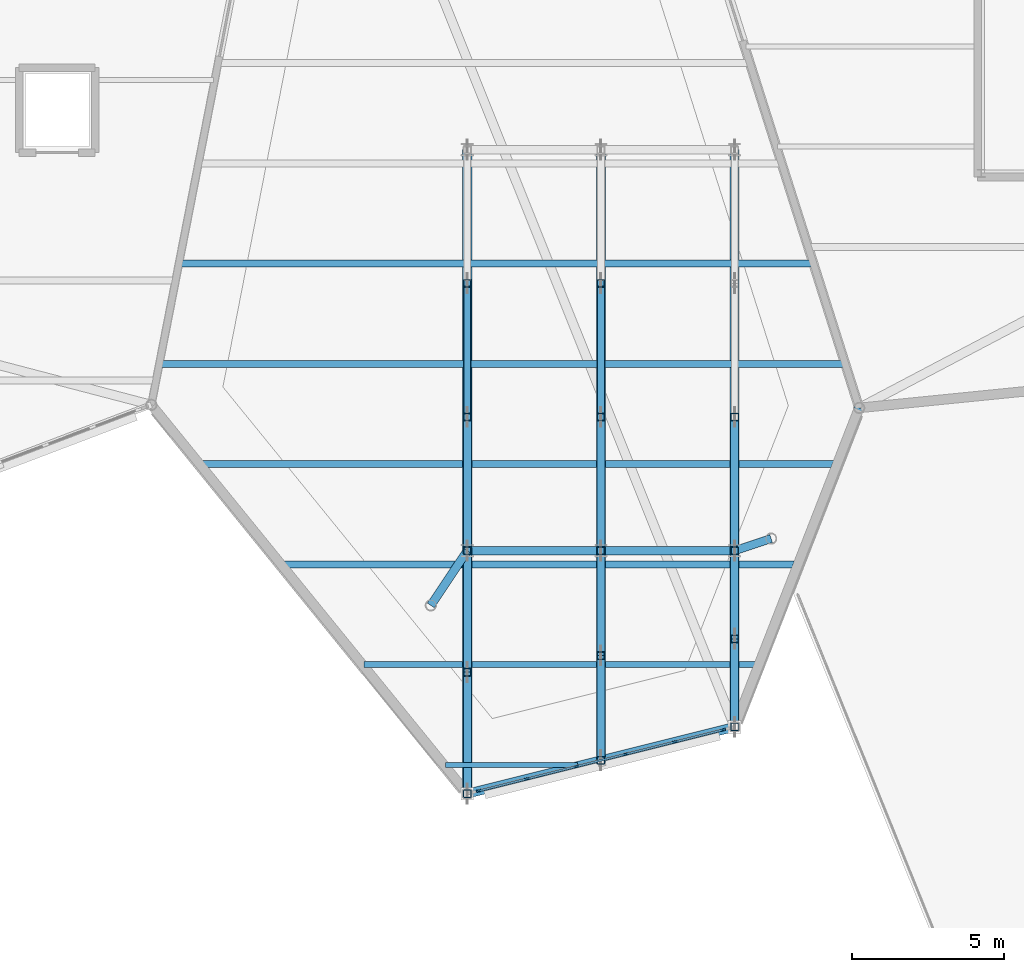
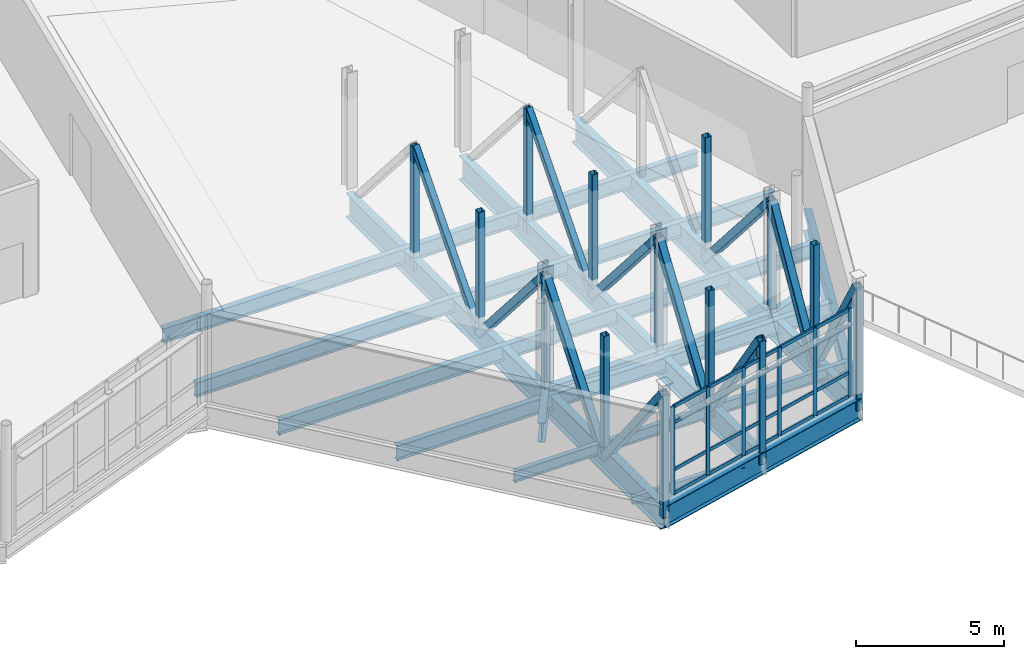
# One storey, part 55 of 114: 51 members, 15 beams, 1 element without a shape of its own.
"""IFC4 building model written with IfcOpenShell, lengths in metres."""

from ifc_helpers import new_model, si_unit, direction, frame, origin, origin_2d, place, context, subcontext, project, spatial, rectangle, hollow_rectangle, i_section, extrude, material, material_profile, profile_set, type_object, element, aggregate, save


model = new_model("IFC4")

# Units and contexts
model_context = context("Model", 3, precision=1e-05, world=origin(), true_north=direction((0.0, 1.0)))
body_context = subcontext(model_context, "Body", "Model", "MODEL_VIEW")
ifc_project = project(units=[si_unit("LENGTHUNIT", "METRE"), si_unit("AREAUNIT", "SQUARE_METRE"), si_unit("VOLUMEUNIT", "CUBIC_METRE"), si_unit("PLANEANGLEUNIT", "RADIAN"), si_unit("MASSUNIT", "GRAM", prefix="KILO")], contexts=[model_context])

# Site, building, storey
site_placement = place(None, origin())
site = spatial("IfcSite", under=ifc_project, at=site_placement, CompositionType="ELEMENT")
building_placement = place(site_placement, origin())
building = spatial("IfcBuilding", under=site, at=building_placement, Name="Tameran Prism Museum", CompositionType="ELEMENT")
storey_placement = place(building_placement, frame((0.0, 0.0, 10.199951171875)))
storey = spatial("IfcBuildingStorey", under=building, at=storey_placement, Name="L02", CompositionType="ELEMENT", Elevation=10.199951171875)

# Beams
ifc_material_1 = material(Name="Steel Grade 300PLUS (300 MPa)", Category="steel")
ifc_material_profile_1 = material_profile(ifc_material_1, i_section(OverallWidth=0.1650390625, OverallDepth=0.303955078125, WebThickness=0.006103515625, FlangeThickness=0.01025390625, FilletRadius=0.011474609375, at=origin_2d()))
ifc_profile_set_1 = profile_set([ifc_material_profile_1])
beam_type_1 = type_object("IfcBeamType", Name="BM-J310B", PredefinedType="JOIST", material=ifc_profile_set_1)
beam_1_placement = place(storey_placement, frame((130.3798828125, 10.449951171875, -0.3720703125), z_axis=(1.0, 0.0, 0.0), x_axis=(0.0, 1.0, 0.0)))
element("IfcBeam", 1, at=beam_1_placement, inside=storey, type_object=beam_type_1, Name="Floor Beam BM-0881", PredefinedType="JOIST", context=body_context, shape_type="SweptSolid", body=[
    extrude(i_section(OverallWidth=0.1650390625, OverallDepth=0.303955078125, WebThickness=0.006103515625, FlangeThickness=0.01025390625, FilletRadius=0.011474609375, at=origin_2d()), origin(), (0.0, 0.0, 1.0), 4.355224609375),
])
ifc_material_2 = material(Name="Steel Grade 300PLUS (300 MPa)", Category="steel")
ifc_material_profile_2 = material_profile(ifc_material_2, i_section(OverallWidth=0.18994140625, OverallDepth=0.4541015625, WebThickness=0.008544921875, FlangeThickness=0.0126953125, FilletRadius=0.011474609375, at=origin_2d()))
ifc_profile_set_2 = profile_set([ifc_material_profile_2])
beam_type_2 = type_object("IfcBeamType", Name="BM-J460B", PredefinedType="JOIST", material=ifc_profile_set_2)
beam_2_placement = place(storey_placement, frame((127.697998046875, 13.75, -0.447021484375), z_axis=(1.0, 0.0, 0.0), x_axis=(0.0, 1.0, 0.0)))
element("IfcBeam", 2, at=beam_2_placement, inside=storey, type_object=beam_type_2, Name="Floor Beam BM-0882", PredefinedType="JOIST", context=body_context, shape_type="SweptSolid", body=[
    extrude(i_section(OverallWidth=0.18994140625, OverallDepth=0.4541015625, WebThickness=0.008544921875, FlangeThickness=0.0126953125, FilletRadius=0.011474609375, at=origin_2d()), origin(), (0.0, 0.0, 1.0), 12.9599609375),
])
ifc_material_3 = material(Name="Steel Grade 350 (350 MPa)", Category="steel")
ifc_material_profile_3 = material_profile(ifc_material_3, i_section(OverallWidth=0.300048828125, OverallDepth=1.0, WebThickness=0.01611328125, FlangeThickness=0.031982421875, at=origin_2d()))
ifc_profile_set_3 = profile_set([ifc_material_profile_3])
beam_type_3 = type_object("IfcBeamType", Name="BM-TR1000", PredefinedType="BEAM", material=ifc_profile_set_3)
beam_3_placement = place(storey_placement, frame((131.10009765625, 30.699951171875, -0.719970703125), z_axis=(0.0, -1.0, 0.0), x_axis=(1.0, 0.0, 0.0)))
element("IfcBeam", 3, at=beam_3_placement, inside=storey, type_object=beam_type_3, Name="Transfer Girder TTB-1456", PredefinedType="BEAM", context=body_context, shape_type="SweptSolid", body=[
    extrude(i_section(OverallWidth=0.300048828125, OverallDepth=1.0, WebThickness=0.01611328125, FlangeThickness=0.031982421875, at=origin_2d()), origin(), (0.0, 0.0, 1.0), 21.199951171875),
])
beam_4_placement = place(storey_placement, frame((135.5, 30.699951171875, -0.719970703125), z_axis=(0.0, -1.0, 0.0), x_axis=(1.0, 0.0, 0.0)))
element("IfcBeam", 4, at=beam_4_placement, inside=storey, type_object=beam_type_3, Name="Transfer Girder TTB-1457", PredefinedType="BEAM", context=body_context, shape_type="SweptSolid", body=[
    extrude(i_section(OverallWidth=0.300048828125, OverallDepth=1.0, WebThickness=0.01611328125, FlangeThickness=0.031982421875, at=origin_2d()), origin(), (0.0, 0.0, 1.0), 20.099853515625),
])
beam_5_placement = place(storey_placement, frame((139.89990234375, 30.699951171875, -0.719970703125), z_axis=(0.0, -1.0, 0.0), x_axis=(1.0, 0.0, 0.0)))
element("IfcBeam", 5, at=beam_5_placement, inside=storey, type_object=beam_type_3, Name="Transfer Girder TTB-1458", PredefinedType="BEAM", context=body_context, shape_type="SweptSolid", body=[
    extrude(i_section(OverallWidth=0.300048828125, OverallDepth=1.0, WebThickness=0.01611328125, FlangeThickness=0.031982421875, at=origin_2d()), origin(), (0.0, 0.0, 1.0), 19.0),
])
ifc_material_4 = material(Name="Steel Grade 300PLUS (300 MPa)", Category="steel")
ifc_material_profile_4 = material_profile(ifc_material_4, i_section(OverallWidth=0.22802734375, OverallDepth=0.60693359375, WebThickness=0.01123046875, FlangeThickness=0.017333984375, FilletRadius=0.013916015625, at=origin_2d()))
ifc_profile_set_4 = profile_set([ifc_material_profile_4])
beam_type_4 = type_object("IfcBeamType", Name="BM-UB610B", PredefinedType="BEAM", material=ifc_profile_set_4)
beam_6_placement = place(storey_placement, frame((125.01708984375, 17.050048828125, -0.5234375), z_axis=(1.0, 0.0, 0.0), x_axis=(0.0, 1.0, 0.0)))
element("IfcBeam", 6, at=beam_6_placement, inside=storey, type_object=beam_type_4, Name="Floor Beam BM-0883", PredefinedType="BEAM", context=body_context, shape_type="SweptSolid", body=[
    extrude(i_section(OverallWidth=0.22802734375, OverallDepth=0.60693359375, WebThickness=0.01123046875, FlangeThickness=0.017333984375, FilletRadius=0.013916015625, at=origin_2d()), origin(), (0.0, 0.0, 1.0), 16.928955078125),
])
beam_7_placement = place(storey_placement, frame((122.3359375, 20.35009765625, -0.5234375), z_axis=(1.0, 0.0, 0.0), x_axis=(0.0, 1.0, 0.0)))
element("IfcBeam", 7, at=beam_7_placement, inside=storey, type_object=beam_type_4, Name="Floor Beam BM-0884", PredefinedType="BEAM", context=body_context, shape_type="SweptSolid", body=[
    extrude(i_section(OverallWidth=0.22802734375, OverallDepth=0.60693359375, WebThickness=0.01123046875, FlangeThickness=0.017333984375, FilletRadius=0.013916015625, at=origin_2d()), origin(), (0.0, 0.0, 1.0), 20.899169921875),
])
beam_8_placement = place(storey_placement, frame((121.00390625, 23.64990234375, -0.5234375), z_axis=(1.0, 0.0, 0.0), x_axis=(0.0, 1.0, 0.0)))
element("IfcBeam", 8, at=beam_8_placement, inside=storey, type_object=beam_type_4, Name="Floor Beam BM-0885", PredefinedType="BEAM", context=body_context, shape_type="SweptSolid", body=[
    extrude(i_section(OverallWidth=0.22802734375, OverallDepth=0.60693359375, WebThickness=0.01123046875, FlangeThickness=0.017333984375, FilletRadius=0.013916015625, at=origin_2d()), origin(), (0.0, 0.0, 1.0), 22.494140625),
])
beam_9_placement = place(storey_placement, frame((121.64892578125, 26.949951171875, -0.5234375), z_axis=(1.0, 0.0, 0.0), x_axis=(0.0, 1.0, 0.0)))
element("IfcBeam", 9, at=beam_9_placement, inside=storey, type_object=beam_type_4, Name="Floor Beam BM-0886", PredefinedType="BEAM", context=body_context, shape_type="SweptSolid", body=[
    extrude(i_section(OverallWidth=0.22802734375, OverallDepth=0.60693359375, WebThickness=0.01123046875, FlangeThickness=0.017333984375, FilletRadius=0.013916015625, at=origin_2d()), origin(), (0.0, 0.0, 1.0), 20.802978515625),
])
ifc_material_5 = material(Name="Steel Grade 350 (350 MPa)", Category="steel")
ifc_material_profile_5 = material_profile(ifc_material_5, i_section(OverallWidth=0.27490234375, OverallDepth=0.800048828125, WebThickness=0.011962890625, FlangeThickness=0.02490234375, at=origin_2d()))
ifc_profile_set_5 = profile_set([ifc_material_profile_5])
beam_type_5 = type_object("IfcBeamType", Name="BM-WB800", PredefinedType="BEAM", material=ifc_profile_set_5)
beam_10_placement = place(storey_placement, frame((131.10009765625, 17.5, -0.619873046875), z_axis=(-0.554752278034, -0.832015570778, 0.0), x_axis=(0.832015570778, -0.554752278034, 0.0)))
element("IfcBeam", 10, at=beam_10_placement, inside=storey, type_object=beam_type_5, Name="Frame Tie Girder FG-1368", PredefinedType="BEAM", context=body_context, shape_type="SweptSolid", body=[
    extrude(i_section(OverallWidth=0.27490234375, OverallDepth=0.800048828125, WebThickness=0.011962890625, FlangeThickness=0.02490234375, at=origin_2d()), origin(), (0.0, 0.0, 1.0), 2.16357421875),
])
for number, where, z_axis, x_axis, name in (
    (11, (131.10009765625, 17.5, -0.619873046875), (1.0, 0.0, 0.0), (0.0, 1.0, 0.0), "Frame Tie Girder FG-1369"),
    (12, (135.5, 17.5, -0.619873046875), (1.0, 0.0, 0.0), (0.0, 1.0, 0.0), "Frame Tie Girder FG-1375"),
):
    element("IfcBeam", number, at=place(storey_placement, frame(where, z_axis=z_axis, x_axis=x_axis)), inside=storey, type_object=beam_type_5, Name=name, PredefinedType="BEAM", context=body_context, shape_type="SweptSolid", body=[
        extrude(i_section(OverallWidth=0.27490234375, OverallDepth=0.800048828125, WebThickness=0.011962890625, FlangeThickness=0.02490234375, at=origin_2d()), origin(), (0.0, 0.0, 1.0), 4.39990234375),
    ])
beam_11_placement = place(storey_placement, frame((139.89990234375, 17.5, -0.619873046875), z_axis=(0.948721888294, 0.31611197173, 0.0), x_axis=(-0.31611197173, 0.948721888294, 0.0)))
element("IfcBeam", 13, at=beam_11_placement, inside=storey, type_object=beam_type_5, Name="Frame Tie Girder FG-1380", PredefinedType="BEAM", context=body_context, shape_type="SweptSolid", body=[
    extrude(i_section(OverallWidth=0.27490234375, OverallDepth=0.800048828125, WebThickness=0.011962890625, FlangeThickness=0.02490234375, at=origin_2d()), origin(), (0.0, 0.0, 1.0), 1.26513671875),
])
ifc_material_6 = material(Name="Steel Grade 350 (350 MPa)", Category="steel")
ifc_material_profile_6 = material_profile(ifc_material_6, i_section(OverallWidth=0.300048828125, OverallDepth=0.89990234375, WebThickness=0.011962890625, FlangeThickness=0.030029296875, at=origin_2d()))
ifc_profile_set_6 = profile_set([ifc_material_profile_6])
beam_type_6 = type_object("IfcBeamType", Name="BM-WB900", PredefinedType="BEAM", material=ifc_profile_set_6)
beam_12_placement = place(storey_placement, frame((139.89990234375, 11.699951171875, -0.72998046875), z_axis=(0.363737775798, 0.931501385108, 0.0), x_axis=(-0.931501385108, 0.363737775798, 0.0)))
element("IfcBeam", 14, at=beam_12_placement, inside=storey, type_object=beam_type_6, Name="Perimeter Spandrel SP-0699", PredefinedType="BEAM", context=body_context, shape_type="SweptSolid", body=[
    extrude(i_section(OverallWidth=0.300048828125, OverallDepth=0.89990234375, WebThickness=0.011962890625, FlangeThickness=0.030029296875, at=origin_2d()), origin(), (0.0, 0.0, 1.0), 11.272216796875),
])
beam_13_placement = place(storey_placement, frame((131.10009765625, 9.5, -0.669921875), z_axis=(0.970142500145, 0.242535625036, 0.0), x_axis=(-0.242535625036, 0.970142500145, 0.0)))
element("IfcBeam", 15, at=beam_13_placement, inside=storey, type_object=beam_type_6, Name="Perimeter Spandrel SP-0703", PredefinedType="BEAM", context=body_context, shape_type="SweptSolid", body=[
    extrude(i_section(OverallWidth=0.300048828125, OverallDepth=0.89990234375, WebThickness=0.011962890625, FlangeThickness=0.030029296875, at=origin_2d()), origin(), (0.0, 0.0, 1.0), 9.070556640625),
])

# Curtain wall, members
ifc_material_7 = material(Name="Anodised Aluminium 6063-T6 and Cyclone Solar Glass", Category="aluminium")
curtain_wall_type = type_object("IfcCurtainWallType", Name="CW-FAC-837x362", PredefinedType="USERDEFINED", material=ifc_material_7)
curtain_wall_placement = place(storey_placement, origin())
curtain_wall = element("IfcCurtainWall", 16, at=curtain_wall_placement, inside=storey, type_object=curtain_wall_type, Name="Unitised Curtain Wall CW-119", ObjectType="UNITISED CURTAIN WALL", PredefinedType="USERDEFINED")
ifc_material_8 = material(Name="Anodised Aluminium Alloy 6063-T6", Category="aluminium")
ifc_material_profile_7 = material_profile(ifc_material_8, rectangle(XDim=0.06494140625, YDim=0.159912109375, at=origin_2d()))
ifc_profile_set_7 = profile_set([ifc_material_profile_7])
member_type_1 = type_object("IfcMemberType", Name="CW-MUL-A", PredefinedType="MULLION", material=ifc_profile_set_7)
member_1_placement = place(storey_placement, frame((139.528564453125, 11.607177734375, 0.0), z_axis=(0.0, 0.0, 1.0), x_axis=(0.242535625038, -0.970142500145, 0.0)))
member_1 = element("IfcMember", 17, at=member_1_placement, type_object=member_type_1, Name="CW-119 mullion 1", PredefinedType="MULLION", context=body_context, shape_type="SweptSolid", body=[
    extrude(rectangle(XDim=0.06494140625, YDim=0.159912109375, at=origin_2d()), origin(), (0.0, 0.0, 1.0), 3.6201171875),
])
member_2_placement = place(storey_placement, frame((137.93603515625, 11.208984375, 0.0), z_axis=(0.0, 0.0, 1.0), x_axis=(0.242535625038, -0.970142500145, 0.0)))
member_2 = element("IfcMember", 18, at=member_2_placement, type_object=member_type_1, Name="CW-119 mullion 2", PredefinedType="MULLION", context=body_context, shape_type="SweptSolid", body=[
    extrude(rectangle(XDim=0.06494140625, YDim=0.159912109375, at=origin_2d()), origin(), (0.0, 0.0, 1.0), 3.6201171875),
])
member_3_placement = place(storey_placement, frame((136.31201171875, 10.802978515625, 0.0), z_axis=(0.0, 0.0, 1.0), x_axis=(0.242535625038, -0.970142500145, 0.0)))
member_3 = element("IfcMember", 19, at=member_3_placement, type_object=member_type_1, Name="CW-119 mullion 3", PredefinedType="MULLION", context=body_context, shape_type="SweptSolid", body=[
    extrude(rectangle(XDim=0.06494140625, YDim=0.159912109375, at=origin_2d()), origin(), (0.0, 0.0, 1.0), 3.6201171875),
])
member_4_placement = place(storey_placement, frame((134.68798828125, 10.39697265625, 0.0), z_axis=(0.0, 0.0, 1.0), x_axis=(0.242535625038, -0.970142500145, 0.0)))
member_4 = element("IfcMember", 20, at=member_4_placement, type_object=member_type_1, Name="CW-119 mullion 4", PredefinedType="MULLION", context=body_context, shape_type="SweptSolid", body=[
    extrude(rectangle(XDim=0.06494140625, YDim=0.159912109375, at=origin_2d()), origin(), (0.0, 0.0, 1.0), 3.6201171875),
])
member_5_placement = place(storey_placement, frame((133.06396484375, 9.990966796875, 0.0), z_axis=(0.0, 0.0, 1.0), x_axis=(0.242535625038, -0.970142500145, 0.0)))
member_5 = element("IfcMember", 21, at=member_5_placement, type_object=member_type_1, Name="CW-119 mullion 5", PredefinedType="MULLION", context=body_context, shape_type="SweptSolid", body=[
    extrude(rectangle(XDim=0.06494140625, YDim=0.159912109375, at=origin_2d()), origin(), (0.0, 0.0, 1.0), 3.6201171875),
])
member_6_placement = place(storey_placement, frame((131.471435546875, 9.5927734375, 0.0), z_axis=(0.0, 0.0, 1.0), x_axis=(0.242535625038, -0.970142500145, 0.0)))
member_6 = element("IfcMember", 22, at=member_6_placement, type_object=member_type_1, Name="CW-119 mullion 6", PredefinedType="MULLION", context=body_context, shape_type="SweptSolid", body=[
    extrude(rectangle(XDim=0.06494140625, YDim=0.159912109375, at=origin_2d()), origin(), (0.0, 0.0, 1.0), 3.6201171875),
])
ifc_material_9 = material(Name="Anodised Aluminium Alloy 6063-T6", Category="aluminium")
ifc_material_profile_8 = material_profile(ifc_material_9, rectangle(XDim=0.06494140625, YDim=0.139892578125, at=origin_2d()))
ifc_profile_set_8 = profile_set([ifc_material_profile_8])
member_type_2 = type_object("IfcMemberType", Name="CW-TRN-A", PredefinedType="USERDEFINED", material=ifc_profile_set_8)
member_7_placement = place(storey_placement, frame((139.496826171875, 11.59912109375, 0.032470703125), z_axis=(-0.970142500145, -0.242535625036, 0.0), x_axis=(0.242535625036, -0.970142500145, 0.0)))
member_7 = element("IfcMember", 23, at=member_7_placement, type_object=member_type_2, Name="CW-119 transom 1.1", ObjectType="TRANSOM", PredefinedType="USERDEFINED", context=body_context, shape_type="SweptSolid", body=[
    extrude(rectangle(XDim=0.06494140625, YDim=0.139892578125, at=origin_2d()), origin(), (0.0, 0.0, 1.0), 1.576416015625),
])
member_8_placement = place(storey_placement, frame((139.496826171875, 11.59912109375, 1.0), z_axis=(-0.970142500145, -0.242535625036, 0.0), x_axis=(0.242535625036, -0.970142500145, 0.0)))
member_8 = element("IfcMember", 24, at=member_8_placement, type_object=member_type_2, Name="CW-119 transom 1.2", ObjectType="TRANSOM", PredefinedType="USERDEFINED", context=body_context, shape_type="SweptSolid", body=[
    extrude(rectangle(XDim=0.06494140625, YDim=0.139892578125, at=origin_2d()), origin(), (0.0, 0.0, 1.0), 1.576416015625),
])
member_9_placement = place(storey_placement, frame((139.496826171875, 11.59912109375, 2.93994140625), z_axis=(-0.970142500145, -0.242535625036, 0.0), x_axis=(0.242535625036, -0.970142500145, 0.0)))
member_9 = element("IfcMember", 25, at=member_9_placement, type_object=member_type_2, Name="CW-119 transom 1.3", ObjectType="TRANSOM", PredefinedType="USERDEFINED", context=body_context, shape_type="SweptSolid", body=[
    extrude(rectangle(XDim=0.06494140625, YDim=0.139892578125, at=origin_2d()), origin(), (0.0, 0.0, 1.0), 1.576416015625),
])
member_10_placement = place(storey_placement, frame((139.496826171875, 11.59912109375, 3.587646484375), z_axis=(-0.970142500145, -0.242535625036, 0.0), x_axis=(0.242535625036, -0.970142500145, 0.0)))
member_10 = element("IfcMember", 26, at=member_10_placement, type_object=member_type_2, Name="CW-119 transom 1.4", ObjectType="TRANSOM", PredefinedType="USERDEFINED", context=body_context, shape_type="SweptSolid", body=[
    extrude(rectangle(XDim=0.06494140625, YDim=0.139892578125, at=origin_2d()), origin(), (0.0, 0.0, 1.0), 1.576416015625),
])
member_11_placement = place(storey_placement, frame((137.904541015625, 11.201171875, 0.032470703125), z_axis=(-0.97012464761, -0.242607024011, 0.0), x_axis=(0.242607024011, -0.97012464761, 0.0)))
member_11 = element("IfcMember", 27, at=member_11_placement, type_object=member_type_2, Name="CW-119 transom 2.1", ObjectType="TRANSOM", PredefinedType="USERDEFINED", context=body_context, shape_type="SweptSolid", body=[
    extrude(rectangle(XDim=0.06494140625, YDim=0.139892578125, at=origin_2d()), origin(), (0.0, 0.0, 1.0), 1.609130859375),
])
member_12_placement = place(storey_placement, frame((137.904541015625, 11.201171875, 1.0), z_axis=(-0.97012464761, -0.242607024011, 0.0), x_axis=(0.242607024011, -0.97012464761, 0.0)))
member_12 = element("IfcMember", 28, at=member_12_placement, type_object=member_type_2, Name="CW-119 transom 2.2", ObjectType="TRANSOM", PredefinedType="USERDEFINED", context=body_context, shape_type="SweptSolid", body=[
    extrude(rectangle(XDim=0.06494140625, YDim=0.139892578125, at=origin_2d()), origin(), (0.0, 0.0, 1.0), 1.609130859375),
])
member_13_placement = place(storey_placement, frame((137.904541015625, 11.201171875, 2.93994140625), z_axis=(-0.97012464761, -0.242607024011, 0.0), x_axis=(0.242607024011, -0.97012464761, 0.0)))
member_13 = element("IfcMember", 29, at=member_13_placement, type_object=member_type_2, Name="CW-119 transom 2.3", ObjectType="TRANSOM", PredefinedType="USERDEFINED", context=body_context, shape_type="SweptSolid", body=[
    extrude(rectangle(XDim=0.06494140625, YDim=0.139892578125, at=origin_2d()), origin(), (0.0, 0.0, 1.0), 1.609130859375),
])
member_14_placement = place(storey_placement, frame((137.904541015625, 11.201171875, 3.587646484375), z_axis=(-0.97012464761, -0.242607024011, 0.0), x_axis=(0.242607024011, -0.97012464761, 0.0)))
member_14 = element("IfcMember", 30, at=member_14_placement, type_object=member_type_2, Name="CW-119 transom 2.4", ObjectType="TRANSOM", PredefinedType="USERDEFINED", context=body_context, shape_type="SweptSolid", body=[
    extrude(rectangle(XDim=0.06494140625, YDim=0.139892578125, at=origin_2d()), origin(), (0.0, 0.0, 1.0), 1.609130859375),
])
member_15_placement = place(storey_placement, frame((136.280517578125, 10.795166015625, 0.032470703125), z_axis=(-0.97012464761, -0.242607024011, 0.0), x_axis=(0.242607024011, -0.97012464761, 0.0)))
member_15 = element("IfcMember", 31, at=member_15_placement, type_object=member_type_2, Name="CW-119 transom 3.1", ObjectType="TRANSOM", PredefinedType="USERDEFINED", context=body_context, shape_type="SweptSolid", body=[
    extrude(rectangle(XDim=0.06494140625, YDim=0.139892578125, at=origin_2d()), origin(), (0.0, 0.0, 1.0), 1.609130859375),
])
member_16_placement = place(storey_placement, frame((136.280517578125, 10.795166015625, 1.0), z_axis=(-0.97012464761, -0.242607024011, 0.0), x_axis=(0.242607024011, -0.97012464761, 0.0)))
member_16 = element("IfcMember", 32, at=member_16_placement, type_object=member_type_2, Name="CW-119 transom 3.2", ObjectType="TRANSOM", PredefinedType="USERDEFINED", context=body_context, shape_type="SweptSolid", body=[
    extrude(rectangle(XDim=0.06494140625, YDim=0.139892578125, at=origin_2d()), origin(), (0.0, 0.0, 1.0), 1.609130859375),
])
member_17_placement = place(storey_placement, frame((136.280517578125, 10.795166015625, 2.93994140625), z_axis=(-0.97012464761, -0.242607024011, 0.0), x_axis=(0.242607024011, -0.97012464761, 0.0)))
member_17 = element("IfcMember", 33, at=member_17_placement, type_object=member_type_2, Name="CW-119 transom 3.3", ObjectType="TRANSOM", PredefinedType="USERDEFINED", context=body_context, shape_type="SweptSolid", body=[
    extrude(rectangle(XDim=0.06494140625, YDim=0.139892578125, at=origin_2d()), origin(), (0.0, 0.0, 1.0), 1.609130859375),
])
member_18_placement = place(storey_placement, frame((136.280517578125, 10.795166015625, 3.587646484375), z_axis=(-0.97012464761, -0.242607024011, 0.0), x_axis=(0.242607024011, -0.97012464761, 0.0)))
member_18 = element("IfcMember", 34, at=member_18_placement, type_object=member_type_2, Name="CW-119 transom 3.4", ObjectType="TRANSOM", PredefinedType="USERDEFINED", context=body_context, shape_type="SweptSolid", body=[
    extrude(rectangle(XDim=0.06494140625, YDim=0.139892578125, at=origin_2d()), origin(), (0.0, 0.0, 1.0), 1.609130859375),
])
member_19_placement = place(storey_placement, frame((134.656494140625, 10.38916015625, 0.032470703125), z_axis=(-0.97012464761, -0.242607024011, 0.0), x_axis=(0.242607024011, -0.97012464761, 0.0)))
member_19 = element("IfcMember", 35, at=member_19_placement, type_object=member_type_2, Name="CW-119 transom 4.1", ObjectType="TRANSOM", PredefinedType="USERDEFINED", context=body_context, shape_type="SweptSolid", body=[
    extrude(rectangle(XDim=0.06494140625, YDim=0.139892578125, at=origin_2d()), origin(), (0.0, 0.0, 1.0), 1.609130859375),
])
member_20_placement = place(storey_placement, frame((134.656494140625, 10.38916015625, 1.0), z_axis=(-0.97012464761, -0.242607024011, 0.0), x_axis=(0.242607024011, -0.97012464761, 0.0)))
member_20 = element("IfcMember", 36, at=member_20_placement, type_object=member_type_2, Name="CW-119 transom 4.2", ObjectType="TRANSOM", PredefinedType="USERDEFINED", context=body_context, shape_type="SweptSolid", body=[
    extrude(rectangle(XDim=0.06494140625, YDim=0.139892578125, at=origin_2d()), origin(), (0.0, 0.0, 1.0), 1.609130859375),
])
member_21_placement = place(storey_placement, frame((134.656494140625, 10.38916015625, 2.93994140625), z_axis=(-0.97012464761, -0.242607024011, 0.0), x_axis=(0.242607024011, -0.97012464761, 0.0)))
member_21 = element("IfcMember", 37, at=member_21_placement, type_object=member_type_2, Name="CW-119 transom 4.3", ObjectType="TRANSOM", PredefinedType="USERDEFINED", context=body_context, shape_type="SweptSolid", body=[
    extrude(rectangle(XDim=0.06494140625, YDim=0.139892578125, at=origin_2d()), origin(), (0.0, 0.0, 1.0), 1.609130859375),
])
member_22_placement = place(storey_placement, frame((134.656494140625, 10.38916015625, 3.587646484375), z_axis=(-0.97012464761, -0.242607024011, 0.0), x_axis=(0.242607024011, -0.97012464761, 0.0)))
member_22 = element("IfcMember", 38, at=member_22_placement, type_object=member_type_2, Name="CW-119 transom 4.4", ObjectType="TRANSOM", PredefinedType="USERDEFINED", context=body_context, shape_type="SweptSolid", body=[
    extrude(rectangle(XDim=0.06494140625, YDim=0.139892578125, at=origin_2d()), origin(), (0.0, 0.0, 1.0), 1.609130859375),
])
member_23_placement = place(storey_placement, frame((133.032470703125, 9.983154296875, 0.032470703125), z_axis=(-0.970142500145, -0.242535625036, 0.0), x_axis=(0.242535625036, -0.970142500145, 0.0)))
member_23 = element("IfcMember", 39, at=member_23_placement, type_object=member_type_2, Name="CW-119 transom 5.1", ObjectType="TRANSOM", PredefinedType="USERDEFINED", context=body_context, shape_type="SweptSolid", body=[
    extrude(rectangle(XDim=0.06494140625, YDim=0.139892578125, at=origin_2d()), origin(), (0.0, 0.0, 1.0), 1.576416015625),
])
member_24_placement = place(storey_placement, frame((133.032470703125, 9.983154296875, 1.0), z_axis=(-0.970142500145, -0.242535625036, 0.0), x_axis=(0.242535625036, -0.970142500145, 0.0)))
member_24 = element("IfcMember", 40, at=member_24_placement, type_object=member_type_2, Name="CW-119 transom 5.2", ObjectType="TRANSOM", PredefinedType="USERDEFINED", context=body_context, shape_type="SweptSolid", body=[
    extrude(rectangle(XDim=0.06494140625, YDim=0.139892578125, at=origin_2d()), origin(), (0.0, 0.0, 1.0), 1.576416015625),
])
member_25_placement = place(storey_placement, frame((133.032470703125, 9.983154296875, 2.93994140625), z_axis=(-0.970142500145, -0.242535625036, 0.0), x_axis=(0.242535625036, -0.970142500145, 0.0)))
member_25 = element("IfcMember", 41, at=member_25_placement, type_object=member_type_2, Name="CW-119 transom 5.3", ObjectType="TRANSOM", PredefinedType="USERDEFINED", context=body_context, shape_type="SweptSolid", body=[
    extrude(rectangle(XDim=0.06494140625, YDim=0.139892578125, at=origin_2d()), origin(), (0.0, 0.0, 1.0), 1.576416015625),
])
member_26_placement = place(storey_placement, frame((133.032470703125, 9.983154296875, 3.587646484375), z_axis=(-0.970142500145, -0.242535625036, 0.0), x_axis=(0.242535625036, -0.970142500145, 0.0)))
member_26 = element("IfcMember", 42, at=member_26_placement, type_object=member_type_2, Name="CW-119 transom 5.4", ObjectType="TRANSOM", PredefinedType="USERDEFINED", context=body_context, shape_type="SweptSolid", body=[
    extrude(rectangle(XDim=0.06494140625, YDim=0.139892578125, at=origin_2d()), origin(), (0.0, 0.0, 1.0), 1.576416015625),
])
aggregate(curtain_wall, [member_1, member_2, member_3, member_4, member_5, member_6, member_7, member_8, member_9, member_10, member_11, member_12, member_13, member_14, member_15, member_16, member_17, member_18, member_19, member_20, member_21, member_22, member_23, member_24, member_25, member_26])

# Members
ifc_material_10 = material(Name="Steel Grade C450L0 (450 MPa)", Category="steel")
ifc_material_profile_9 = material_profile(ifc_material_10, hollow_rectangle(XDim=0.25, YDim=0.25, WallThickness=0.010009765625, InnerFilletRadius=0.014892578125, OuterFilletRadius=0.02490234375, at=origin_2d()))
ifc_profile_set_9 = profile_set([ifc_material_profile_9])
member_type_3 = type_object("IfcMemberType", Name="MM-BR-SHS250", PredefinedType="BRACE", material=ifc_profile_set_9)
member_27_placement = place(storey_placement, frame((131.10009765625, 26.300048828125, 4.35009765625), z_axis=(0.0, -0.655448203604, -0.75524012896), x_axis=(1.0, 0.0, 0.0)))
element("IfcMember", 43, at=member_27_placement, inside=storey, type_object=member_type_3, Name="Transfer Truss Web TTW-003", PredefinedType="BRACE", context=body_context, shape_type="SweptSolid", body=[
    extrude(hollow_rectangle(XDim=0.25, YDim=0.25, WallThickness=0.010009765625, InnerFilletRadius=0.014892578125, OuterFilletRadius=0.02490234375, at=origin_2d()), origin(), (0.0, 0.0, 1.0), 6.713134765625),
])
for number, where, z_axis, x_axis, name in (
    (44, (131.10009765625, 26.300048828125, -0.719970703125), (0.0, 0.0, 1.0), (1.0, 0.0, 0.0), "Transfer Truss Post TTV-008"),
    (45, (131.10009765625, 21.89990234375, -0.719970703125), (0.0, 0.0, 1.0), (1.0, 0.0, 0.0), "Transfer Truss Post TTV-009"),
    (46, (131.10009765625, 17.5, -0.719970703125), (0.0, 0.0, 1.0), (1.0, 0.0, 0.0), "Transfer Truss Post TTV-010"),
    (47, (131.10009765625, 13.5, -0.719970703125), (0.0, 0.0, 1.0), (1.0, 0.0, 0.0), "Transfer Truss Post TTV-011"),
    (48, (131.10009765625, 9.5, -0.719970703125), (0.0, 0.0, 1.0), (1.0, 0.0, 0.0), "Transfer Truss Post TTV-012"),
):
    element("IfcMember", number, at=place(storey_placement, frame(where, z_axis=z_axis, x_axis=x_axis)), inside=storey, type_object=member_type_3, Name=name, PredefinedType="BRACE", context=body_context, shape_type="SweptSolid", body=[
        extrude(hollow_rectangle(XDim=0.25, YDim=0.25, WallThickness=0.010009765625, InnerFilletRadius=0.014892578125, OuterFilletRadius=0.02490234375, at=origin_2d()), origin(), (0.0, 0.0, 1.0), 5.070068359375),
    ])
member_28_placement = place(storey_placement, frame((135.5, 26.300048828125, 4.35009765625), z_axis=(0.0, -0.655448203604, -0.75524012896), x_axis=(1.0, 0.0, 0.0)))
element("IfcMember", 49, at=member_28_placement, inside=storey, type_object=member_type_3, Name="Transfer Truss Web TTW-015", PredefinedType="BRACE", context=body_context, shape_type="SweptSolid", body=[
    extrude(hollow_rectangle(XDim=0.25, YDim=0.25, WallThickness=0.010009765625, InnerFilletRadius=0.014892578125, OuterFilletRadius=0.02490234375, at=origin_2d()), origin(), (0.0, 0.0, 1.0), 6.713134765625),
])
for number, where, z_axis, x_axis, name in (
    (50, (135.5, 26.300048828125, -0.719970703125), (0.0, 0.0, 1.0), (1.0, 0.0, 0.0), "Transfer Truss Post TTV-020"),
    (51, (135.5, 21.89990234375, -0.719970703125), (0.0, 0.0, 1.0), (1.0, 0.0, 0.0), "Transfer Truss Post TTV-021"),
    (52, (135.5, 17.5, -0.719970703125), (0.0, 0.0, 1.0), (1.0, 0.0, 0.0), "Transfer Truss Post TTV-022"),
    (53, (135.5, 14.050048828125, -0.719970703125), (0.0, 0.0, 1.0), (1.0, 0.0, 0.0), "Transfer Truss Post TTV-023"),
    (54, (135.5, 10.60009765625, -0.719970703125), (0.0, 0.0, 1.0), (1.0, 0.0, 0.0), "Transfer Truss Post TTV-024"),
    (55, (139.89990234375, 21.89990234375, -0.719970703125), (0.0, 0.0, 1.0), (1.0, 0.0, 0.0), "Transfer Truss Post TTV-033"),
    (56, (139.89990234375, 17.5, -0.719970703125), (0.0, 0.0, 1.0), (1.0, 0.0, 0.0), "Transfer Truss Post TTV-034"),
    (57, (139.89990234375, 14.60009765625, -0.719970703125), (0.0, 0.0, 1.0), (1.0, 0.0, 0.0), "Transfer Truss Post TTV-035"),
    (58, (139.89990234375, 11.699951171875, -0.719970703125), (0.0, 0.0, 1.0), (1.0, 0.0, 0.0), "Transfer Truss Post TTV-036"),
):
    element("IfcMember", number, at=place(storey_placement, frame(where, z_axis=z_axis, x_axis=x_axis)), inside=storey, type_object=member_type_3, Name=name, PredefinedType="BRACE", context=body_context, shape_type="SweptSolid", body=[
        extrude(hollow_rectangle(XDim=0.25, YDim=0.25, WallThickness=0.010009765625, InnerFilletRadius=0.014892578125, OuterFilletRadius=0.02490234375, at=origin_2d()), origin(), (0.0, 0.0, 1.0), 5.070068359375),
    ])
ifc_material_11 = material(Name="Steel Grade C450L0 (450 MPa)", Category="steel")
ifc_material_profile_10 = material_profile(ifc_material_11, hollow_rectangle(XDim=0.300048828125, YDim=0.300048828125, WallThickness=0.012451171875, InnerFilletRadius=0.0185546875, OuterFilletRadius=0.031005859375, at=origin_2d()))
ifc_profile_set_10 = profile_set([ifc_material_profile_10])
member_type_4 = type_object("IfcMemberType", Name="MM-BR-SHS300", PredefinedType="BRACE", material=ifc_profile_set_10)
member_29_placement = place(storey_placement, frame((131.10009765625, 21.89990234375, -0.719970703125), z_axis=(0.0, -0.655427459392, 0.755258131684), x_axis=(1.0, 0.0, 0.0)))
element("IfcMember", 59, at=member_29_placement, inside=storey, type_object=member_type_4, Name="Transfer Truss Web TTW-004", PredefinedType="BRACE", context=body_context, shape_type="SweptSolid", body=[
    extrude(hollow_rectangle(XDim=0.300048828125, YDim=0.300048828125, WallThickness=0.012451171875, InnerFilletRadius=0.0185546875, OuterFilletRadius=0.031005859375, at=origin_2d()), origin(), (0.0, 0.0, 1.0), 6.713134765625),
])
for number, where, z_axis, x_axis, name in (
    (60, (131.10009765625, 17.5, 4.35009765625), (0.0, -0.619388075602, -0.785084971071), (1.0, 0.0, 0.0), "Transfer Truss Web TTW-005"),
    (61, (131.10009765625, 13.5, -0.719970703125), (0.0, -0.619388075602, 0.785084971071), (1.0, 0.0, 0.0), "Transfer Truss Web TTW-006"),
):
    element("IfcMember", number, at=place(storey_placement, frame(where, z_axis=z_axis, x_axis=x_axis)), inside=storey, type_object=member_type_4, Name=name, PredefinedType="BRACE", context=body_context, shape_type="SweptSolid", body=[
        extrude(hollow_rectangle(XDim=0.300048828125, YDim=0.300048828125, WallThickness=0.012451171875, InnerFilletRadius=0.0185546875, OuterFilletRadius=0.031005859375, at=origin_2d()), origin(), (0.0, 0.0, 1.0), 6.4580078125),
    ])
member_30_placement = place(storey_placement, frame((135.5, 21.89990234375, -0.719970703125), z_axis=(0.0, -0.655427459392, 0.755258131684), x_axis=(1.0, 0.0, 0.0)))
element("IfcMember", 62, at=member_30_placement, inside=storey, type_object=member_type_4, Name="Transfer Truss Web TTW-016", PredefinedType="BRACE", context=body_context, shape_type="SweptSolid", body=[
    extrude(hollow_rectangle(XDim=0.300048828125, YDim=0.300048828125, WallThickness=0.012451171875, InnerFilletRadius=0.0185546875, OuterFilletRadius=0.031005859375, at=origin_2d()), origin(), (0.0, 0.0, 1.0), 6.713134765625),
])
for number, where, z_axis, x_axis, name in (
    (63, (135.5, 17.5, 4.35009765625), (0.0, -0.562566978888, -0.826751712587), (1.0, 0.0, 0.0), "Transfer Truss Web TTW-017"),
    (64, (135.5, 14.050048828125, -0.719970703125), (0.0, -0.562566978888, 0.826751712587), (1.0, 0.0, 0.0), "Transfer Truss Web TTW-018"),
):
    element("IfcMember", number, at=place(storey_placement, frame(where, z_axis=z_axis, x_axis=x_axis)), inside=storey, type_object=member_type_4, Name=name, PredefinedType="BRACE", context=body_context, shape_type="SweptSolid", body=[
        extrude(hollow_rectangle(XDim=0.300048828125, YDim=0.300048828125, WallThickness=0.012451171875, InnerFilletRadius=0.0185546875, OuterFilletRadius=0.031005859375, at=origin_2d()), origin(), (0.0, 0.0, 1.0), 6.132568359375),
    ])
member_31_placement = place(storey_placement, frame((139.89990234375, 21.89990234375, -0.719970703125), z_axis=(0.0, -0.655427459392, 0.755258131684), x_axis=(1.0, 0.0, 0.0)))
element("IfcMember", 65, at=member_31_placement, inside=storey, type_object=member_type_4, Name="Transfer Truss Web TTW-028", PredefinedType="BRACE", context=body_context, shape_type="SweptSolid", body=[
    extrude(hollow_rectangle(XDim=0.300048828125, YDim=0.300048828125, WallThickness=0.012451171875, InnerFilletRadius=0.0185546875, OuterFilletRadius=0.031005859375, at=origin_2d()), origin(), (0.0, 0.0, 1.0), 6.713134765625),
])
for number, where, z_axis, x_axis, name in (
    (66, (139.89990234375, 17.5, 4.35009765625), (0.0, -0.496490010441, -0.868042435329), (1.0, 0.0, 0.0), "Transfer Truss Web TTW-029"),
    (67, (139.89990234375, 14.60009765625, -0.719970703125), (0.0, -0.496521505005, 0.868024420779), (1.0, 0.0, 0.0), "Transfer Truss Web TTW-030"),
):
    element("IfcMember", number, at=place(storey_placement, frame(where, z_axis=z_axis, x_axis=x_axis)), inside=storey, type_object=member_type_4, Name=name, PredefinedType="BRACE", context=body_context, shape_type="SweptSolid", body=[
        extrude(hollow_rectangle(XDim=0.300048828125, YDim=0.300048828125, WallThickness=0.012451171875, InnerFilletRadius=0.0185546875, OuterFilletRadius=0.031005859375, at=origin_2d()), origin(), (0.0, 0.0, 1.0), 5.8408203125),
    ])

save(model, "model.ifc")
